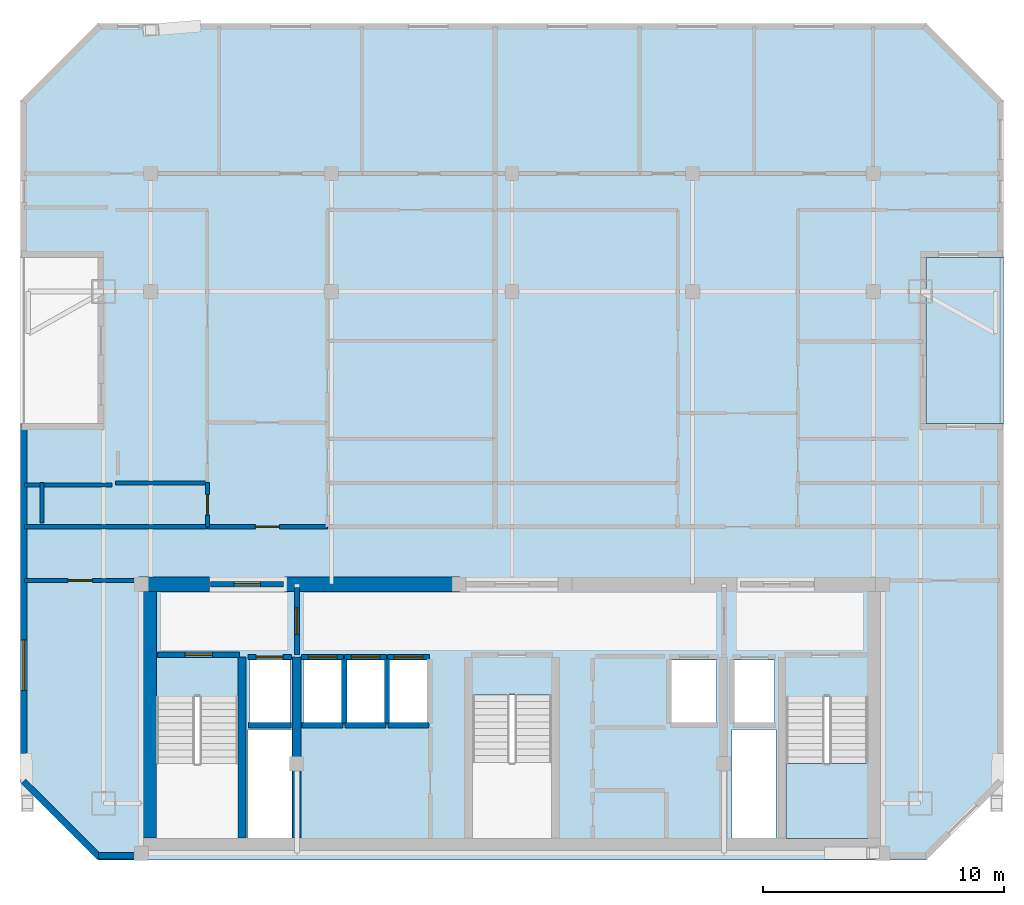
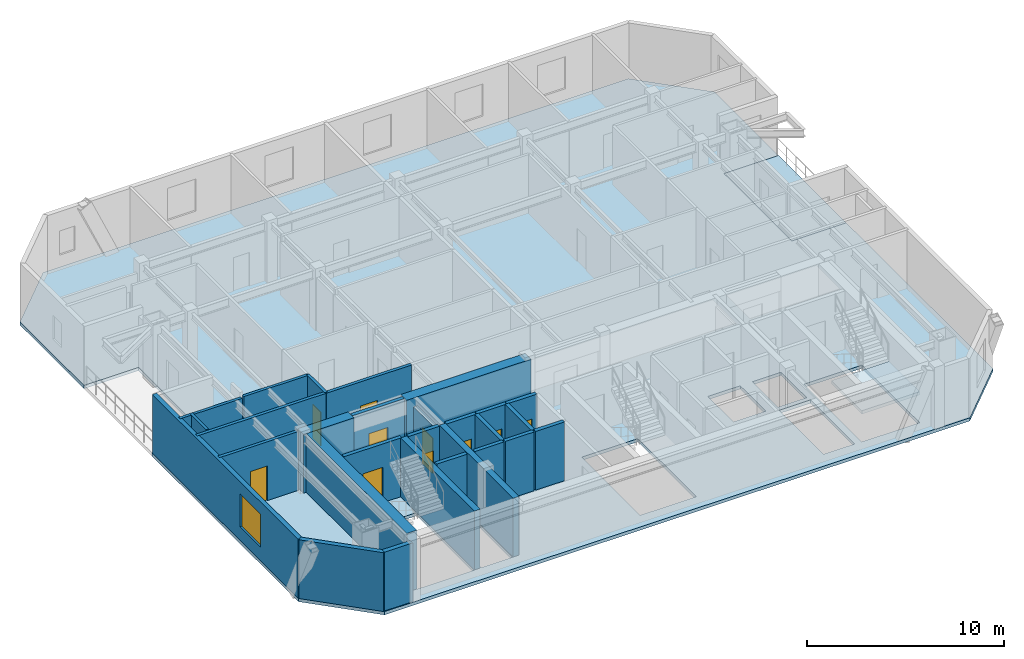
# One storey, part 2 of 7: 28 walls, 10 doors, 3 slabs, 1 window, 11 openings, 1 element without a shape of its own.
"""IFC4 building model written with IfcOpenShell, lengths in metres."""

from ifc_helpers import new_model, si_unit, direction, frame, frame_2d, origin, place, context, subcontext, project, spatial, polyline, rectangle, outline, extrude, material, layer, layer_set, type_object, element, fill, aggregate, save


model = new_model("IFC4")

# Units and contexts
model_context = context("Model", 3, precision=1e-05, world=origin(), true_north=direction((0.0, 1.0)))
body_context = subcontext(model_context, "Body", "Model", "MODEL_VIEW")
ifc_project = project(units=[si_unit("LENGTHUNIT", "METRE"), si_unit("AREAUNIT", "SQUARE_METRE"), si_unit("VOLUMEUNIT", "CUBIC_METRE"), si_unit("PLANEANGLEUNIT", "RADIAN"), si_unit("MASSUNIT", "GRAM", prefix="KILO")], contexts=[model_context])

# Site, building, storey
site_placement = place(None, origin())
site = spatial("IfcSite", under=ifc_project, at=site_placement, CompositionType="ELEMENT")
building_placement = place(site_placement, origin())
building = spatial("IfcBuilding", under=site, at=building_placement, Name="Ventersveld Concourse Tower", CompositionType="ELEMENT")
storey_placement = place(building_placement, frame((0.0, 0.0, 281.050048828125)))
storey = spatial("IfcBuildingStorey", under=building, at=storey_placement, Name="L69", CompositionType="ELEMENT", Elevation=281.050048828125)

# Slabs
ifc_material_1 = material(Name="Concrete C50/60", Category="concrete")
ifc_layer_1 = layer(ifc_material_1, 0.199951171875)
ifc_layer_set_1 = layer_set([ifc_layer_1], Name="Concrete C50/60")
slab_type_1 = type_object("IfcSlabType", Name="SL-FLR-200", PredefinedType="FLOOR", material=ifc_layer_set_1)
slab_1_placement = place(storey_placement, frame((0.0, 0.0, -0.199951171875)))
element("IfcSlab", 1, at=slab_1_placement, inside=storey, type_object=slab_type_1, Name="L69 Composite Floor Slab", PredefinedType="FLOOR", context=body_context, shape_type="SweptSolid", body=[
    extrude(outline(polyline([(11.552978515625, 0.0), (45.947021484375, 0.0), (49.14697265625, 3.199951171875), (49.14697265625, 18.1162109375), (45.947021484375, 18.1162109375), (45.947021484375, 25.016357421875), (49.14697265625, 25.016357421875), (49.14697265625, 31.532470703125), (45.947021484375, 34.732421875), (11.552978515625, 34.732421875), (8.35302734375, 31.532470703125), (8.35302734375, 25.016357421875), (11.552978515625, 25.016357421875), (11.552978515625, 18.1162109375), (8.35302734375, 18.1162109375), (8.35302734375, 3.199951171875), (11.552978515625, 0.0)]), holes=[polyline([(13.97998046875, 6.794921875), (13.97998046875, 0.89990234375), (17.3798828125, 0.89990234375), (17.3798828125, 6.794921875), (13.97998046875, 6.794921875)]), polyline([(40.1201171875, 6.794921875), (40.1201171875, 0.89990234375), (43.52001953125, 0.89990234375), (43.52001953125, 6.794921875), (40.1201171875, 6.794921875)]), polyline([(27.10009765625, 6.844970703125), (27.10009765625, 0.89990234375), (30.39990234375, 0.89990234375), (30.39990234375, 6.844970703125), (27.10009765625, 6.844970703125)]), polyline([(17.85009765625, 5.699951171875), (19.530029296875, 5.699951171875), (19.530029296875, 8.300048828125), (17.85009765625, 8.300048828125), (17.85009765625, 5.699951171875)]), polyline([(37.969970703125, 5.699951171875), (39.64990234375, 5.699951171875), (39.64990234375, 8.300048828125), (37.969970703125, 8.300048828125), (37.969970703125, 5.699951171875)]), polyline([(35.35009765625, 5.699951171875), (37.25, 5.699951171875), (37.25, 8.300048828125), (35.35009765625, 8.300048828125), (35.35009765625, 5.699951171875)]), polyline([(20.090087890625, 5.699951171875), (21.68994140625, 5.699951171875), (21.68994140625, 8.300048828125), (20.090087890625, 8.300048828125), (20.090087890625, 5.699951171875)]), polyline([(21.8701171875, 5.699951171875), (23.469970703125, 5.699951171875), (23.469970703125, 8.300048828125), (21.8701171875, 8.300048828125), (21.8701171875, 5.699951171875)]), polyline([(23.64990234375, 5.699951171875), (25.25, 5.699951171875), (25.25, 8.300048828125), (23.64990234375, 8.300048828125), (23.64990234375, 5.699951171875)]), polyline([(17.780029296875, 0.919921875), (19.6201171875, 0.919921875), (19.6201171875, 5.419921875), (17.780029296875, 5.419921875), (17.780029296875, 0.919921875)]), polyline([(37.8798828125, 0.919921875), (39.719970703125, 0.919921875), (39.719970703125, 5.419921875), (37.8798828125, 5.419921875), (37.8798828125, 0.919921875)])]), origin(), (0.0, 0.0, 1.0), 0.199951171875),
])
slab_2_placement = place(storey_placement, frame((0.0, 0.0, -0.199951171875)))
element("IfcSlab", 2, at=slab_2_placement, inside=storey, type_object=slab_type_1, Name="L69 Outdoor Terrace Slab NOTCH-E", PredefinedType="FLOOR", context=body_context, shape_type="SweptSolid", body=[
    extrude(outline(polyline([(45.947021484375, 18.1162109375), (49.14697265625, 18.1162109375), (49.14697265625, 25.016357421875), (45.947021484375, 25.016357421875), (45.947021484375, 18.1162109375)])), origin(), (0.0, 0.0, 1.0), 0.199951171875),
])

# Stair, slab
stair_type = type_object("IfcStairType", Name="ST-DOG-160", PredefinedType="HALF_TURN_STAIR", material=ifc_material_1)
stair_placement = place(storey_placement, origin())
stair = element("IfcStair", 3, at=stair_placement, inside=storey, type_object=stair_type, Name="L69 Protected Tower Escape Stair ST-02", PredefinedType="HALF_TURN_STAIR")
ifc_layer_2 = layer(ifc_material_1, 0.199951171875)
ifc_layer_set_2 = layer_set([ifc_layer_2], Name="Concrete C50/60")
slab_type_2 = type_object("IfcSlabType", Name="SL-LND-200", PredefinedType="LANDING", material=ifc_layer_set_2)
slab_3_placement = place(storey_placement, frame((0.0, 0.0, 1.724853515625)))
slab_3 = element("IfcSlab", 4, at=slab_3_placement, type_object=slab_type_2, Name="ST-02 landing 1", PredefinedType="LANDING", context=body_context, shape_type="SweptSolid", body=[
    extrude(outline(polyline([(40.1201171875, 4.0), (40.1201171875, 0.89990234375), (43.52001953125, 0.89990234375), (43.52001953125, 4.0), (40.1201171875, 4.0)])), origin(), (0.0, 0.0, 1.0), 0.2001953125),
])
aggregate(stair, [slab_3])

# Walls
ifc_layer_3 = layer(ifc_material_1, 0.35009765625)
ifc_layer_set_3 = layer_set([ifc_layer_3], Name="Concrete C50/60")
wall_type_1 = type_object("IfcWallType", Name="WL-CORE-350U", PredefinedType="SHEAR", material=ifc_layer_set_3)
for number, where, z_axis, x_axis, name in (
    (5, (17.5400390625, 0.919921875, 0.0), (0.0, 0.0, 1.0), (0.0, 1.0, 0.0), "L69 Core Internal Shear Web W-ST1-E"),
    (6, (19.820068359375, 0.919921875, 0.0), (0.0, 0.0, 1.0), (0.0, 1.0, 0.0), "L69 Core Internal Shear Web W-FF1-E"),
):
    element("IfcWall", number, at=place(storey_placement, frame(where, z_axis=z_axis, x_axis=x_axis)), inside=storey, type_object=wall_type_1, Name=name, PredefinedType="SHEAR", context=body_context, shape_type="SweptSolid", body=[
        extrude(rectangle(XDim=7.5, YDim=0.35009765625, at=frame_2d((3.75, 0.0))), origin(), (0.0, 0.0, 1.0), 3.64990234375),
    ])
ifc_layer_4 = layer(ifc_material_1, 0.60009765625)
ifc_layer_set_4 = layer_set([ifc_layer_4], Name="Concrete C50/60")
wall_type_2 = type_object("IfcWallType", Name="WL-CORE-600", PredefinedType="SHEAR", material=ifc_layer_set_4)
wall_1_placement = place(storey_placement, frame((13.699951171875, 0.919921875, 0.0), z_axis=(0.0, 0.0, 1.0), x_axis=(0.0, 1.0, 0.0)))
element("IfcWall", 7, at=wall_1_placement, inside=storey, type_object=wall_type_2, Name="L69 Rear Core West Shear Wall", PredefinedType="SHEAR", context=body_context, shape_type="SweptSolid", body=[
    extrude(rectangle(XDim=10.530029296875, YDim=0.60009765625, at=frame_2d((5.26513671875, 0.0))), origin(), (0.0, 0.0, 1.0), 3.64990234375),
])
wall_2_placement = place(storey_placement, frame((13.25, 11.449951171875, 0.0), z_axis=(0.0, 0.0, 1.0), x_axis=(1.0, 0.0, 0.0)))
element("IfcWall", 8, at=wall_2_placement, inside=storey, type_object=wall_type_2, Name="L69 Rear Core North Shear Wall NW", PredefinedType="SHEAR", context=body_context, shape_type="SweptSolid", body=[
    extrude(rectangle(XDim=2.949951171875, YDim=0.60009765625, at=frame_2d((1.47509765625, 0.0))), origin(), (0.0, 0.0, 1.0), 3.64990234375),
])
wall_3_placement = place(storey_placement, frame((19.300048828125, 11.449951171875, 0.0), z_axis=(0.0, 0.0, 1.0), x_axis=(1.0, 0.0, 0.0)))
element("IfcWall", 9, at=wall_3_placement, inside=storey, type_object=wall_type_2, Name="L69 Rear Core North Shear Wall NML", PredefinedType="SHEAR", context=body_context, shape_type="SweptSolid", body=[
    extrude(rectangle(XDim=7.300048828125, YDim=0.60009765625, at=frame_2d((3.64990234375, 0.0))), origin(), (0.0, 0.0, 1.0), 3.64990234375),
])

# Wall, opening, door
ifc_material_2 = material(Name="Fire-rated autoclaved aerated masonry blockwork", Category="masonry")
ifc_layer_5 = layer(ifc_material_2, 0.179931640625)
ifc_layer_set_5 = layer_set([ifc_layer_5], Name="Fire-rated autoclaved aerated masonry blockwork")
wall_type_3 = type_object("IfcWallType", Name="WL-CORR-180", PredefinedType="PARTITIONING", material=ifc_layer_set_5)
wall_4_placement = place(storey_placement, frame((8.502685546875, 11.60009765625, 0.0), z_axis=(0.0, 0.0, 1.0), x_axis=(1.0, 0.0, 0.0)))
wall_4 = element("IfcWall", 10, at=wall_4_placement, inside=storey, type_object=wall_type_3, Name="L69 Interior Partition SP-L69-SW-GAL-SP-L69-COR", PredefinedType="PARTITIONING", context=body_context, shape_type="SweptSolid", body=[
    extrude(rectangle(XDim=4.642333984375, YDim=0.179931640625, at=frame_2d((2.3212890625, 0.0))), origin(), (0.0, 0.0, 1.0), 3.64990234375),
])
opening_1_placement = place(wall_4_placement, frame((1.8212890625, 0.0, 0.0)))
opening_1 = element("IfcOpeningElement", 11, at=opening_1_placement, cuts=wall_4, Name="Opening FD3", PredefinedType="OPENING", context=body_context, shape_type="SweptSolid", body=[
    extrude(rectangle(XDim=1.0, YDim=2.14990234375, at=frame_2d((0.5, 1.074951171875))), frame((0.0, 0.10009765625, 0.0), z_axis=(0.0, -1.0, 0.0), x_axis=(1.0, 0.0, 0.0)), (0.0, 0.0, 1.0), 0.199951171875),
])
ifc_material_3 = material(Name="Solid-core hardwood veneer timber", Category="wood")
door_type_1 = type_object("IfcDoorType", Name="DR-FLAT-100", OperationType="NOTDEFINED", PredefinedType="DOOR", material=ifc_material_3)
door_1_placement = place(opening_1_placement, origin())
door_1 = element("IfcDoor", 12, at=door_1_placement, inside=storey, type_object=door_type_1, Name="L69 Interior Door SP-L69-SW-GAL to SP-L69-COR (D-L69-3224)", OperationType="SINGLE_SWING_RIGHT", OverallHeight=2.14990234375, OverallWidth=1.0, PredefinedType="DOOR", context=body_context, shape_type="SweptSolid", body=[
    extrude(rectangle(XDim=1.0, YDim=2.14990234375, at=frame_2d((0.5, 1.074951171875))), frame((0.0, 0.02490234375, 0.0), z_axis=(0.0, -1.0, 0.0), x_axis=(1.0, 0.0, 0.0)), (0.0, 0.0, 1.0), 0.050048828125),
])
fill(opening_1, door_1)

wall_5_placement = place(storey_placement, frame((16.099365234375, 13.830078125, 0.0), z_axis=(0.0, 0.0, 1.0), x_axis=(1.0, 0.0, 0.0)))
wall_5 = element("IfcWall", 13, at=wall_5_placement, inside=storey, type_object=wall_type_3, Name="L69 Interior Partition SP-L69-COR-SP-L69-69N1-FOY", PredefinedType="PARTITIONING", context=body_context, shape_type="SweptSolid", body=[
    extrude(rectangle(XDim=4.989990234375, YDim=0.179931640625, at=frame_2d((2.4951171875, 0.0))), origin(), (0.0, 0.0, 1.0), 3.64990234375),
])
opening_2_placement = place(wall_5_placement, frame((1.9951171875, 0.0, 0.0)))
opening_2 = element("IfcOpeningElement", 14, at=opening_2_placement, cuts=wall_5, Name="Opening FD3", PredefinedType="OPENING", context=body_context, shape_type="SweptSolid", body=[
    extrude(rectangle(XDim=1.0, YDim=2.14990234375, at=frame_2d((0.5, 1.074951171875))), frame((0.0, 0.10009765625, 0.0), z_axis=(0.0, -1.0, 0.0), x_axis=(1.0, 0.0, 0.0)), (0.0, 0.0, 1.0), 0.199951171875),
])
door_2_placement = place(opening_2_placement, origin())
door_2 = element("IfcDoor", 15, at=door_2_placement, inside=storey, type_object=door_type_1, Name="L69 Interior Door SP-L69-COR to SP-L69-69N1-FOY (FD-L69-3226)", OperationType="SINGLE_SWING_RIGHT", OverallHeight=2.14990234375, OverallWidth=1.0, PredefinedType="DOOR", context=body_context, shape_type="SweptSolid", body=[
    extrude(rectangle(XDim=1.0, YDim=2.14990234375, at=frame_2d((0.5, 1.074951171875))), frame((0.0, 0.02490234375, 0.0), z_axis=(0.0, -1.0, 0.0), x_axis=(1.0, 0.0, 0.0)), (0.0, 0.0, 1.0), 0.050048828125),
])
fill(opening_2, door_2)

# Walls
wall_6_placement = place(storey_placement, frame((8.502685546875, 13.830078125, 0.0), z_axis=(0.0, 0.0, 1.0), x_axis=(1.0, 0.0, 0.0)))
element("IfcWall", 16, at=wall_6_placement, inside=storey, type_object=wall_type_3, Name="L69 Interior Partition SP-L69-COR-SP-L69-69N1-BATH", PredefinedType="PARTITIONING", context=body_context, shape_type="SweptSolid", body=[
    extrude(rectangle(XDim=7.566650390625, YDim=0.179931640625, at=frame_2d((3.783203125, 0.0))), origin(), (0.0, 0.0, 1.0), 3.64990234375),
])
ifc_layer_6 = layer(ifc_material_2, 0.219970703125)
ifc_layer_set_6 = layer_set([ifc_layer_6], Name="Fire-rated autoclaved aerated masonry blockwork")
wall_type_4 = type_object("IfcWallType", Name="WL-HOIST-220", PredefinedType="SOLIDWALL", material=ifc_layer_set_6)
wall_7_placement = place(storey_placement, frame((17.800048828125, 5.590087890625, 0.0), z_axis=(0.0, 0.0, 1.0), x_axis=(1.0, 0.0, 0.0)))
element("IfcWall", 17, at=wall_7_placement, inside=storey, type_object=wall_type_4, Name="L69 Lift Hoistway Back Wall FFL-01", PredefinedType="SOLIDWALL", context=body_context, shape_type="SweptSolid", body=[
    extrude(rectangle(XDim=1.780029296875, YDim=0.219970703125, at=frame_2d((0.89013671875, 0.0))), origin(), (0.0, 0.0, 1.0), 3.64990234375),
])

# Wall, opening, door
wall_8_placement = place(storey_placement, frame((17.780029296875, 8.429931640625, 0.0), z_axis=(0.0, 0.0, 1.0), x_axis=(1.0, 0.0, 0.0)))
wall_8 = element("IfcWall", 18, at=wall_8_placement, inside=storey, type_object=wall_type_4, Name="L69 Lift Hoistway Front Wall FFL-01", PredefinedType="SOLIDWALL", context=body_context, shape_type="SweptSolid", body=[
    extrude(rectangle(XDim=1.820068359375, YDim=0.219970703125, at=frame_2d((0.91015625, 0.0))), origin(), (0.0, 0.0, 1.0), 3.64990234375),
])
opening_3_placement = place(wall_8_placement, frame((0.35009765625, 0.0, 0.0)))
opening_3 = element("IfcOpeningElement", 19, at=opening_3_placement, cuts=wall_8, Name="Opening LD1", PredefinedType="OPENING", context=body_context, shape_type="SweptSolid", body=[
    extrude(rectangle(XDim=1.1201171875, YDim=2.25, at=frame_2d((0.56005859375, 1.125))), frame((0.0, 0.1201171875, 0.0), z_axis=(0.0, -1.0, 0.0), x_axis=(1.0, 0.0, 0.0)), (0.0, 0.0, 1.0), 0.239990234375),
])
ifc_material_4 = material(Name="Brushed stainless steel 316", Category="steel")
door_type_2 = type_object("IfcDoorType", Name="LD-FF-112", OperationType="SLIDING_TO_LEFT", PredefinedType="DOOR", material=ifc_material_4)
door_3_placement = place(opening_3_placement, origin())
door_3 = element("IfcDoor", 20, at=door_3_placement, inside=storey, type_object=door_type_2, Name="L69 Lift landing door FFL-01 (LD-L69-FFL-01)", OperationType="SLIDING_TO_RIGHT", OverallHeight=2.25, OverallWidth=1.1201171875, PredefinedType="DOOR", context=body_context, shape_type="SweptSolid", body=[
    extrude(rectangle(XDim=1.1201171875, YDim=2.25, at=frame_2d((0.56005859375, 1.125))), frame((0.0, 0.02490234375, 0.0), z_axis=(0.0, -1.0, 0.0), x_axis=(1.0, 0.0, 0.0)), (0.0, 0.0, 1.0), 0.050048828125),
])
fill(opening_3, door_3)

# Walls
wall_9_placement = place(storey_placement, frame((20.0400390625, 5.590087890625, 0.0), z_axis=(0.0, 0.0, 1.0), x_axis=(1.0, 0.0, 0.0)))
element("IfcWall", 21, at=wall_9_placement, inside=storey, type_object=wall_type_4, Name="L69 Lift Hoistway Back Wall PH-01", PredefinedType="SOLIDWALL", context=body_context, shape_type="SweptSolid", body=[
    extrude(rectangle(XDim=1.699951171875, YDim=0.219970703125, at=frame_2d((0.85009765625, 0.0))), origin(), (0.0, 0.0, 1.0), 3.64990234375),
])
wall_10_placement = place(storey_placement, frame((21.780029296875, 5.64990234375, 0.0), z_axis=(0.0, 0.0, 1.0), x_axis=(0.0, 1.0, 0.0)))
element("IfcWall", 22, at=wall_10_placement, inside=storey, type_object=wall_type_4, Name="L69 Lift Hoistway Side Wall PH-01E", PredefinedType="SOLIDWALL", context=body_context, shape_type="SweptSolid", body=[
    extrude(rectangle(XDim=2.7001953125, YDim=0.219970703125, at=frame_2d((1.35009765625, 0.0))), origin(), (0.0, 0.0, 1.0), 3.64990234375),
])

# Wall, opening, door
wall_11_placement = place(storey_placement, frame((20.02001953125, 8.429931640625, 0.0), z_axis=(0.0, 0.0, 1.0), x_axis=(1.0, 0.0, 0.0)))
wall_11 = element("IfcWall", 23, at=wall_11_placement, inside=storey, type_object=wall_type_4, Name="L69 Lift Hoistway Front Wall PH-01", PredefinedType="SOLIDWALL", context=body_context, shape_type="SweptSolid", body=[
    extrude(rectangle(XDim=1.739990234375, YDim=0.219970703125, at=frame_2d((0.8701171875, 0.0))), origin(), (0.0, 0.0, 1.0), 3.64990234375),
])
opening_4_placement = place(wall_11_placement, frame((0.280029296875, 0.0, 0.0)))
opening_4 = element("IfcOpeningElement", 24, at=opening_4_placement, cuts=wall_11, Name="Opening LD2", PredefinedType="OPENING", context=body_context, shape_type="SweptSolid", body=[
    extrude(rectangle(XDim=1.179931640625, YDim=2.199951171875, at=frame_2d((0.58984375, 1.10009765625))), frame((0.0, 0.1201171875, 0.0), z_axis=(0.0, -1.0, 0.0), x_axis=(1.0, 0.0, 0.0)), (0.0, 0.0, 1.0), 0.239990234375),
])
door_type_3 = type_object("IfcDoorType", Name="LD-PAX-118", OperationType="SLIDING_TO_LEFT", PredefinedType="DOOR", material=ifc_material_4)
door_4_placement = place(opening_4_placement, origin())
door_4 = element("IfcDoor", 25, at=door_4_placement, inside=storey, type_object=door_type_3, Name="L69 Lift landing door PH-01 (LD-L69-PH-01)", OperationType="SLIDING_TO_LEFT", OverallHeight=2.199951171875, OverallWidth=1.179931640625, PredefinedType="DOOR", context=body_context, shape_type="SweptSolid", body=[
    extrude(rectangle(XDim=1.179931640625, YDim=2.199951171875, at=frame_2d((0.58984375, 1.10009765625))), frame((0.0, 0.02490234375, 0.0), z_axis=(0.0, -1.0, 0.0), x_axis=(1.0, 0.0, 0.0)), (0.0, 0.0, 1.0), 0.050048828125),
])
fill(opening_4, door_4)

# Walls
wall_12_placement = place(storey_placement, frame((21.820068359375, 5.590087890625, 0.0), z_axis=(0.0, 0.0, 1.0), x_axis=(1.0, 0.0, 0.0)))
element("IfcWall", 26, at=wall_12_placement, inside=storey, type_object=wall_type_4, Name="L69 Lift Hoistway Back Wall PH-02", PredefinedType="SOLIDWALL", context=body_context, shape_type="SweptSolid", body=[
    extrude(rectangle(XDim=1.699951171875, YDim=0.219970703125, at=frame_2d((0.85009765625, 0.0))), origin(), (0.0, 0.0, 1.0), 3.64990234375),
])
wall_13_placement = place(storey_placement, frame((23.56005859375, 5.64990234375, 0.0), z_axis=(0.0, 0.0, 1.0), x_axis=(0.0, 1.0, 0.0)))
element("IfcWall", 27, at=wall_13_placement, inside=storey, type_object=wall_type_4, Name="L69 Lift Hoistway Side Wall PH-02E", PredefinedType="SOLIDWALL", context=body_context, shape_type="SweptSolid", body=[
    extrude(rectangle(XDim=2.7001953125, YDim=0.219970703125, at=frame_2d((1.35009765625, 0.0))), origin(), (0.0, 0.0, 1.0), 3.64990234375),
])

# Wall, opening, door
wall_14_placement = place(storey_placement, frame((21.800048828125, 8.429931640625, 0.0), z_axis=(0.0, 0.0, 1.0), x_axis=(1.0, 0.0, 0.0)))
wall_14 = element("IfcWall", 28, at=wall_14_placement, inside=storey, type_object=wall_type_4, Name="L69 Lift Hoistway Front Wall PH-02", PredefinedType="SOLIDWALL", context=body_context, shape_type="SweptSolid", body=[
    extrude(rectangle(XDim=1.739990234375, YDim=0.219970703125, at=frame_2d((0.8701171875, 0.0))), origin(), (0.0, 0.0, 1.0), 3.64990234375),
])
opening_5_placement = place(wall_14_placement, frame((0.280029296875, 0.0, 0.0)))
opening_5 = element("IfcOpeningElement", 29, at=opening_5_placement, cuts=wall_14, Name="Opening LD2", PredefinedType="OPENING", context=body_context, shape_type="SweptSolid", body=[
    extrude(rectangle(XDim=1.179931640625, YDim=2.199951171875, at=frame_2d((0.58984375, 1.10009765625))), frame((0.0, 0.1201171875, 0.0), z_axis=(0.0, -1.0, 0.0), x_axis=(1.0, 0.0, 0.0)), (0.0, 0.0, 1.0), 0.239990234375),
])
door_5_placement = place(opening_5_placement, origin())
door_5 = element("IfcDoor", 30, at=door_5_placement, inside=storey, type_object=door_type_3, Name="L69 Lift landing door PH-02 (LD-L69-PH-02)", OperationType="SLIDING_TO_RIGHT", OverallHeight=2.199951171875, OverallWidth=1.179931640625, PredefinedType="DOOR", context=body_context, shape_type="SweptSolid", body=[
    extrude(rectangle(XDim=1.179931640625, YDim=2.199951171875, at=frame_2d((0.58984375, 1.10009765625))), frame((0.0, 0.02490234375, 0.0), z_axis=(0.0, -1.0, 0.0), x_axis=(1.0, 0.0, 0.0)), (0.0, 0.0, 1.0), 0.050048828125),
])
fill(opening_5, door_5)

# Wall
wall_15_placement = place(storey_placement, frame((23.60009765625, 5.590087890625, 0.0), z_axis=(0.0, 0.0, 1.0), x_axis=(1.0, 0.0, 0.0)))
element("IfcWall", 31, at=wall_15_placement, inside=storey, type_object=wall_type_4, Name="L69 Lift Hoistway Back Wall PH-03", PredefinedType="SOLIDWALL", context=body_context, shape_type="SweptSolid", body=[
    extrude(rectangle(XDim=1.699951171875, YDim=0.219970703125, at=frame_2d((0.85009765625, 0.0))), origin(), (0.0, 0.0, 1.0), 3.64990234375),
])

# Wall, opening, door
wall_16_placement = place(storey_placement, frame((23.580078125, 8.429931640625, 0.0), z_axis=(0.0, 0.0, 1.0), x_axis=(1.0, 0.0, 0.0)))
wall_16 = element("IfcWall", 32, at=wall_16_placement, inside=storey, type_object=wall_type_4, Name="L69 Lift Hoistway Front Wall PH-03", PredefinedType="SOLIDWALL", context=body_context, shape_type="SweptSolid", body=[
    extrude(rectangle(XDim=1.739990234375, YDim=0.219970703125, at=frame_2d((0.8701171875, 0.0))), origin(), (0.0, 0.0, 1.0), 3.64990234375),
])
opening_6_placement = place(wall_16_placement, frame((0.280029296875, 0.0, 0.0)))
opening_6 = element("IfcOpeningElement", 33, at=opening_6_placement, cuts=wall_16, Name="Opening LD2", PredefinedType="OPENING", context=body_context, shape_type="SweptSolid", body=[
    extrude(rectangle(XDim=1.179931640625, YDim=2.199951171875, at=frame_2d((0.58984375, 1.10009765625))), frame((0.0, 0.1201171875, 0.0), z_axis=(0.0, -1.0, 0.0), x_axis=(1.0, 0.0, 0.0)), (0.0, 0.0, 1.0), 0.239990234375),
])
door_6_placement = place(opening_6_placement, origin())
door_6 = element("IfcDoor", 34, at=door_6_placement, inside=storey, type_object=door_type_3, Name="L69 Lift landing door PH-03 (LD-L69-PH-03)", OperationType="SLIDING_TO_LEFT", OverallHeight=2.199951171875, OverallWidth=1.179931640625, PredefinedType="DOOR", context=body_context, shape_type="SweptSolid", body=[
    extrude(rectangle(XDim=1.179931640625, YDim=2.199951171875, at=frame_2d((0.58984375, 1.10009765625))), frame((0.0, 0.02490234375, 0.0), z_axis=(0.0, -1.0, 0.0), x_axis=(1.0, 0.0, 0.0)), (0.0, 0.0, 1.0), 0.050048828125),
])
fill(opening_6, door_6)

wall_17_placement = place(storey_placement, frame((14.0400390625, 8.52001953125, 0.0), z_axis=(0.0, 0.0, 1.0), x_axis=(1.0, 0.0, 0.0)))
wall_17 = element("IfcWall", 35, at=wall_17_placement, inside=storey, type_object=wall_type_4, Name="L69 Escape Stair ST01 Fire Wall", PredefinedType="SOLIDWALL", context=body_context, shape_type="SweptSolid", body=[
    extrude(rectangle(XDim=3.39990234375, YDim=0.219970703125, at=frame_2d((1.699951171875, 0.0))), origin(), (0.0, 0.0, 1.0), 3.64990234375),
])
opening_7_placement = place(wall_17_placement, frame((1.125, 0.0, 0.0)))
opening_7 = element("IfcOpeningElement", 36, at=opening_7_placement, cuts=wall_17, Name="Opening FD1", PredefinedType="OPENING", context=body_context, shape_type="SweptSolid", body=[
    extrude(rectangle(XDim=1.14990234375, YDim=2.199951171875, at=frame_2d((0.574951171875, 1.10009765625))), frame((0.0, 0.1201171875, 0.0), z_axis=(0.0, -1.0, 0.0), x_axis=(1.0, 0.0, 0.0)), (0.0, 0.0, 1.0), 0.239990234375),
])
ifc_material_5 = material(Name="Galvanised painted steel", Category="steel")
door_type_4 = type_object("IfcDoorType", Name="DR-STAIR-115", OperationType="NOTDEFINED", PredefinedType="DOOR", material=ifc_material_5)
door_7_placement = place(opening_7_placement, origin())
door_7 = element("IfcDoor", 37, at=door_7_placement, inside=storey, type_object=door_type_4, Name="L69 Escape Stair Door ST01 (SD-L69-3212)", OperationType="SINGLE_SWING_LEFT", OverallHeight=2.199951171875, OverallWidth=1.14990234375, PredefinedType="DOOR", context=body_context, shape_type="SweptSolid", body=[
    extrude(rectangle(XDim=1.14990234375, YDim=2.199951171875, at=frame_2d((0.574951171875, 1.10009765625))), frame((0.0, 0.02490234375, 0.0), z_axis=(0.0, -1.0, 0.0), x_axis=(1.0, 0.0, 0.0)), (0.0, 0.0, 1.0), 0.050048828125),
])
fill(opening_7, door_7)

wall_18_placement = place(storey_placement, frame((19.820068359375, 8.52001953125, 0.0), z_axis=(0.0, 0.0, 1.0), x_axis=(0.0, 1.0, 0.0)))
wall_18 = element("IfcWall", 38, at=wall_18_placement, inside=storey, type_object=wall_type_4, Name="L69 Firefighting Lobby Smoke-Stop Wall FFLW-SEP", PredefinedType="SOLIDWALL", context=body_context, shape_type="SweptSolid", body=[
    extrude(rectangle(XDim=2.800048828125, YDim=0.219970703125, at=frame_2d((1.39990234375, 0.0))), origin(), (0.0, 0.0, 1.0), 3.10546875),
])
opening_8_placement = place(wall_18_placement, frame((0.85009765625, 0.0, 0.0)))
opening_8 = element("IfcOpeningElement", 39, at=opening_8_placement, cuts=wall_18, Name="Opening FD2", PredefinedType="OPENING", context=body_context, shape_type="SweptSolid", body=[
    extrude(rectangle(XDim=1.10009765625, YDim=2.199951171875, at=frame_2d((0.550048828125, 1.10009765625))), frame((0.0, 0.1201171875, 0.0), z_axis=(0.0, -1.0, 0.0), x_axis=(1.0, 0.0, 0.0)), (0.0, 0.0, 1.0), 0.239990234375),
])
door_type_5 = type_object("IfcDoorType", Name="DR-FFL-110", OperationType="NOTDEFINED", PredefinedType="DOOR", material=ifc_material_5)
door_8_placement = place(opening_8_placement, origin())
door_8 = element("IfcDoor", 40, at=door_8_placement, inside=storey, type_object=door_type_5, Name="L69 Firefighting Lobby Door FFLW-SEP (FD-L69-3215)", OperationType="SINGLE_SWING_LEFT", OverallHeight=2.199951171875, OverallWidth=1.10009765625, PredefinedType="DOOR", context=body_context, shape_type="SweptSolid", body=[
    extrude(rectangle(XDim=1.10009765625, YDim=2.199951171875, at=frame_2d((0.550048828125, 1.10009765625))), frame((0.0, 0.02490234375, 0.0), z_axis=(0.0, -1.0, 0.0), x_axis=(1.0, 0.0, 0.0)), (0.0, 0.0, 1.0), 0.050048828125),
])
fill(opening_8, door_8)

wall_19_placement = place(storey_placement, frame((16.22998046875, 11.449951171875, 0.0), z_axis=(0.0, 0.0, 1.0), x_axis=(1.0, 0.0, 0.0)))
wall_19 = element("IfcWall", 41, at=wall_19_placement, inside=storey, type_object=wall_type_4, Name="L69 Core North Fire Portal FFLW-OUT", PredefinedType="SOLIDWALL", context=body_context, shape_type="SweptSolid", body=[
    extrude(rectangle(XDim=3.0400390625, YDim=0.219970703125, at=frame_2d((1.52001953125, 0.0))), origin(), (0.0, 0.0, 1.0), 3.64990234375),
])
opening_9_placement = place(wall_19_placement, frame((0.969970703125, 0.0, 0.0)))
opening_9 = element("IfcOpeningElement", 42, at=opening_9_placement, cuts=wall_19, Name="Opening FD2", PredefinedType="OPENING", context=body_context, shape_type="SweptSolid", body=[
    extrude(rectangle(XDim=1.10009765625, YDim=2.199951171875, at=frame_2d((0.550048828125, 1.10009765625))), frame((0.0, 0.1201171875, 0.0), z_axis=(0.0, -1.0, 0.0), x_axis=(1.0, 0.0, 0.0)), (0.0, 0.0, 1.0), 0.239990234375),
])
door_9_placement = place(opening_9_placement, origin())
door_9 = element("IfcDoor", 43, at=door_9_placement, inside=storey, type_object=door_type_5, Name="L69 Core Lobby Fire Door FFLW-OUT (FD-L69-3217)", OperationType="SINGLE_SWING_RIGHT", OverallHeight=2.199951171875, OverallWidth=1.10009765625, PredefinedType="DOOR", context=body_context, shape_type="SweptSolid", body=[
    extrude(rectangle(XDim=1.10009765625, YDim=2.199951171875, at=frame_2d((0.550048828125, 1.10009765625))), frame((0.0, 0.02490234375, 0.0), z_axis=(0.0, -1.0, 0.0), x_axis=(1.0, 0.0, 0.0)), (0.0, 0.0, 1.0), 0.050048828125),
])
fill(opening_9, door_9)

# Wall
ifc_material_6 = material(Name="Precast concrete C45/55", Category="concrete")
ifc_layer_7 = layer(ifc_material_6, 0.260009765625)
ifc_layer_set_7 = layer_set([ifc_layer_7], Name="Precast concrete C45/55")
wall_type_5 = type_object("IfcWallType", Name="WL-PREC-260", PredefinedType="SOLIDWALL", material=ifc_layer_set_7)
wall_20_placement = place(storey_placement, frame((11.593017578125, 0.179931640625, 0.0), z_axis=(0.0, 0.0, 1.0), x_axis=(1.0, 0.0, 0.0)))
element("IfcWall", 44, at=wall_20_placement, inside=storey, type_object=wall_type_5, Name="L69 South-West Flank Precast Wall", PredefinedType="SOLIDWALL", context=body_context, shape_type="SweptSolid", body=[
    extrude(rectangle(XDim=1.656982421875, YDim=0.260009765625, at=frame_2d((0.82861328125, 0.0))), origin(), (0.0, 0.0, 1.0), 3.64990234375),
])

# Wall, opening, window
wall_21_placement = place(storey_placement, frame((8.483154296875, 18.076416015625, 0.0), z_axis=(0.0, 0.0, 1.0), x_axis=(0.0, -1.0, 0.0)))
wall_21 = element("IfcWall", 45, at=wall_21_placement, inside=storey, type_object=wall_type_5, Name="L69 Highveld Precast Facade Wall E15", PredefinedType="SOLIDWALL", context=body_context, shape_type="SweptSolid", body=[
    extrude(rectangle(XDim=14.83642578125, YDim=0.260009765625, at=frame_2d((7.418212890625, 0.0))), origin(), (0.0, 0.0, 1.0), 3.64990234375),
])
opening_10_placement = place(wall_21_placement, frame((8.93603515625, 0.0, 0.85009765625)))
opening_10 = element("IfcOpeningElement", 46, at=opening_10_placement, cuts=wall_21, Name="Opening W7", PredefinedType="OPENING", context=body_context, shape_type="SweptSolid", body=[
    extrude(rectangle(XDim=2.10009765625, YDim=2.050048828125, at=frame_2d((1.050048828125, 1.02490234375))), frame((0.0, 0.14013671875, 0.0), z_axis=(0.0, -1.0, 0.0), x_axis=(1.0, 0.0, 0.0)), (0.0, 0.0, 1.0), 0.280029296875),
])
ifc_material_7 = material(Name="Tempered acoustic Low-E IGU", Category="glass")
window_type = type_object("IfcWindowType", Name="WIN-210x205", PartitioningType="SINGLE_PANEL", PredefinedType="WINDOW", material=ifc_material_7)
window_placement = place(opening_10_placement, origin())
window = element("IfcWindow", 47, at=window_placement, inside=storey, type_object=window_type, Name="L69 Punched Low-E Window W-0981", OverallHeight=2.050048828125, OverallWidth=2.10009765625, PartitioningType="SINGLE_PANEL", PredefinedType="WINDOW", context=body_context, shape_type="SweptSolid", body=[
    extrude(rectangle(XDim=2.10009765625, YDim=2.050048828125, at=frame_2d((1.050048828125, 1.02490234375))), frame((0.0, 0.030029296875, 0.0), z_axis=(0.0, -1.0, 0.0), x_axis=(1.0, 0.0, 0.0)), (0.0, 0.0, 1.0), 0.06005859375),
])
fill(opening_10, window)

# Wall
wall_22_placement = place(storey_placement, frame((8.473388671875, 3.263671875, 0.0), z_axis=(0.0, 0.0, 1.0), x_axis=(0.707079321262, -0.707134240044, 0.0)))
element("IfcWall", 48, at=wall_22_placement, inside=storey, type_object=wall_type_5, Name="L69 Highveld Precast Facade Wall E16", PredefinedType="SOLIDWALL", context=body_context, shape_type="SweptSolid", body=[
    extrude(rectangle(XDim=4.445556640625, YDim=0.260009765625, at=frame_2d((2.22265625, 0.0))), origin(), (0.0, 0.0, 1.0), 3.64990234375),
])

# Wall, opening, door
ifc_material_8 = material(Name="Autoclaved aerated masonry blockwork", Category="masonry")
ifc_layer_8 = layer(ifc_material_8, 0.1650390625)
ifc_layer_set_8 = layer_set([ifc_layer_8], Name="Autoclaved aerated masonry blockwork")
wall_type_6 = type_object("IfcWallType", Name="WL-WET-165", PredefinedType="PLUMBINGWALL", material=ifc_layer_set_8)
wall_23_placement = place(storey_placement, frame((16.104248046875, 13.824951171875, 0.0), z_axis=(0.0, 0.0, 1.0), x_axis=(0.0, 1.0, 0.0)))
wall_23 = element("IfcWall", 49, at=wall_23_placement, inside=storey, type_object=wall_type_6, Name="L69 Interior Partition SP-L69-69N1-FOY-SP-L69-69N1-BATH", PredefinedType="PLUMBINGWALL", context=body_context, shape_type="SweptSolid", body=[
    extrude(rectangle(XDim=1.840087890625, YDim=0.1650390625, at=frame_2d((0.919921875, 0.0))), origin(), (0.0, 0.0, 1.0), 3.64990234375),
])
opening_11_placement = place(wall_23_placement, frame((0.4951171875, 0.0, 0.0)))
opening_11 = element("IfcOpeningElement", 50, at=opening_11_placement, cuts=wall_23, Name="Opening ID2", PredefinedType="OPENING", context=body_context, shape_type="SweptSolid", body=[
    extrude(rectangle(XDim=0.85009765625, YDim=2.10009765625, at=frame_2d((0.425048828125, 1.050048828125))), frame((0.0, 0.092529296875, 0.0), z_axis=(0.0, -1.0, 0.0), x_axis=(1.0, 0.0, 0.0)), (0.0, 0.0, 1.0), 0.18505859375),
])
door_type_6 = type_object("IfcDoorType", Name="DR-BATH-085", OperationType="NOTDEFINED", PredefinedType="DOOR", material=ifc_material_3)
door_10_placement = place(opening_11_placement, origin())
door_10 = element("IfcDoor", 51, at=door_10_placement, inside=storey, type_object=door_type_6, Name="L69 Interior Door SP-L69-69N1-FOY to SP-L69-69N1-BATH (D-L69-3229)", OperationType="SINGLE_SWING_LEFT", OverallHeight=2.10009765625, OverallWidth=0.85009765625, PredefinedType="DOOR", context=body_context, shape_type="SweptSolid", body=[
    extrude(rectangle(XDim=0.85009765625, YDim=2.10009765625, at=frame_2d((0.425048828125, 1.050048828125))), frame((0.0, 0.02490234375, 0.0), z_axis=(0.0, -1.0, 0.0), x_axis=(1.0, 0.0, 0.0)), (0.0, 0.0, 1.0), 0.050048828125),
])
fill(opening_11, door_10)

# Walls
wall_24_placement = place(storey_placement, frame((12.298095703125, 15.659912109375, 0.0), z_axis=(0.0, 0.0, 1.0), x_axis=(1.0, 0.0, 0.0)))
element("IfcWall", 52, at=wall_24_placement, inside=storey, type_object=wall_type_6, Name="L69 Interior Partition SP-L69-69N1-BATH-SP-L69-69N1-SEML0", PredefinedType="PLUMBINGWALL", context=body_context, shape_type="SweptSolid", body=[
    extrude(rectangle(XDim=3.811279296875, YDim=0.1650390625, at=frame_2d((1.90576171875, 0.0))), origin(), (0.0, 0.0, 1.0), 3.64990234375),
])
wall_25_placement = place(storey_placement, frame((8.502685546875, 15.570068359375, 0.0), z_axis=(0.0, 0.0, 1.0), x_axis=(1.0, 0.0, 0.0)))
element("IfcWall", 53, at=wall_25_placement, inside=storey, type_object=wall_type_6, Name="L69 Room Enclosure Wall SP-L69-69N1-BATH", PredefinedType="PLUMBINGWALL", context=body_context, shape_type="SweptSolid", body=[
    extrude(rectangle(XDim=3.646728515625, YDim=0.1650390625, at=frame_2d((1.8232421875, 0.0))), origin(), (0.0, 0.0, 1.0), 3.64990234375),
])
wall_26_placement = place(storey_placement, frame((9.233154296875, 13.9951171875, 0.0), z_axis=(0.0, 0.0, 1.0), x_axis=(0.0, 1.0, 0.0)))
element("IfcWall", 54, at=wall_26_placement, inside=storey, type_object=wall_type_6, Name="L69 Room Enclosure Wall SP-L69-69N1-BATH", PredefinedType="PLUMBINGWALL", context=body_context, shape_type="SweptSolid", body=[
    extrude(rectangle(XDim=1.669921875, YDim=0.1650390625, at=frame_2d((0.8349609375, 0.0))), origin(), (0.0, 0.0, 1.0), 3.64990234375),
])

save(model, "model.ifc")
